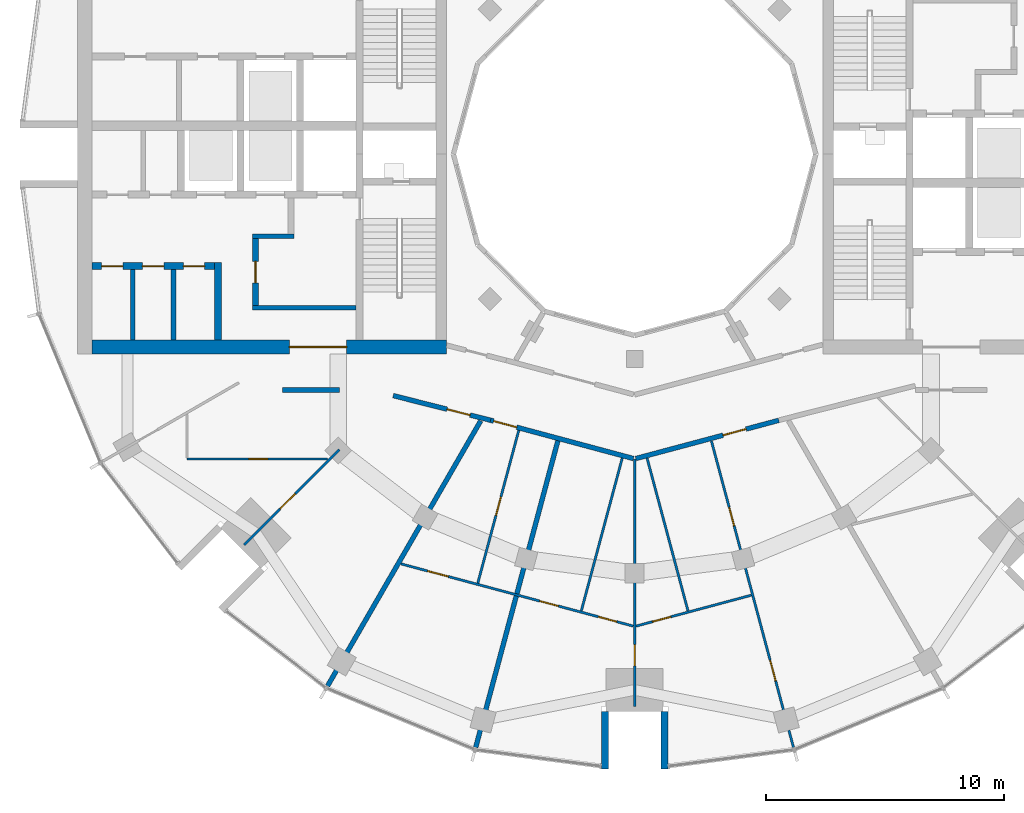
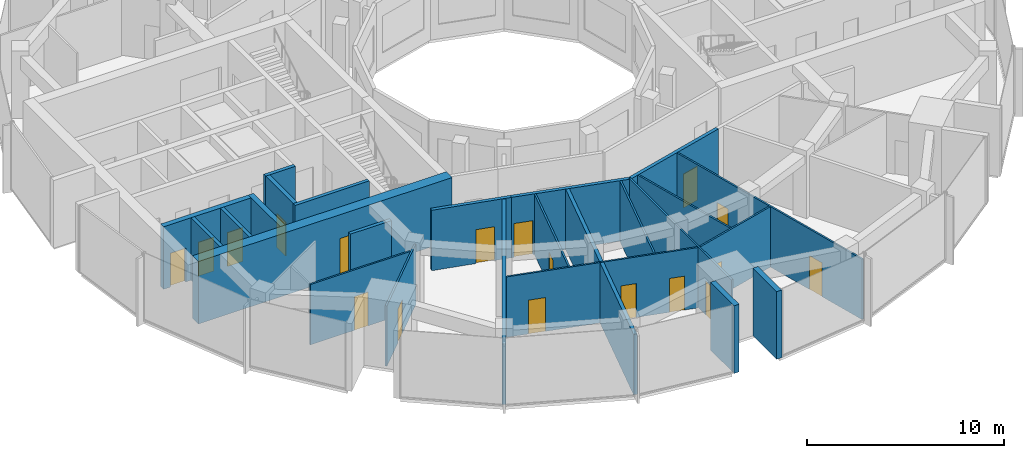
# One storey, part 8 of 15: 25 walls, 18 doors, 18 openings.
"""IFC4 building model written with IfcOpenShell, lengths in metres."""

from ifc_helpers import new_model, si_unit, direction, frame, frame_2d, origin, place, context, subcontext, project, spatial, rectangle, extrude, material, layer, layer_set, type_object, element, fill, save


model = new_model("IFC4")

# Units and contexts
model_context = context("Model", 3, precision=1e-05, world=origin(), true_north=direction((0.0, 1.0)))
body_context = subcontext(model_context, "Body", "Model", "MODEL_VIEW")
ifc_project = project(units=[si_unit("LENGTHUNIT", "METRE"), si_unit("AREAUNIT", "SQUARE_METRE"), si_unit("VOLUMEUNIT", "CUBIC_METRE"), si_unit("PLANEANGLEUNIT", "RADIAN"), si_unit("MASSUNIT", "GRAM", prefix="KILO")], contexts=[model_context])

# Site, building, storey
site_placement = place(None, origin())
site = spatial("IfcSite", under=ifc_project, at=site_placement, CompositionType="ELEMENT")
building_placement = place(site_placement, origin())
building = spatial("IfcBuilding", under=site, at=building_placement, Name="Torre Brocal", CompositionType="ELEMENT")
storey_placement = place(building_placement, frame((0.0, 0.0, 216.699951171875)))
storey = spatial("IfcBuildingStorey", under=building, at=storey_placement, Name="L50", CompositionType="ELEMENT", Elevation=216.699951171875)

# Walls
ifc_material_1 = material(Name="Masonry block", Category="masonry")
ifc_layer_1 = layer(ifc_material_1, 0.199951171875)
ifc_layer_set_1 = layer_set([ifc_layer_1], Name="Masonry block")
wall_type_1 = type_object("IfcWallType", Name="CORE PARTITION 200", PredefinedType="PARTITIONING", material=ifc_layer_set_1)
for number, where, z_axis, x_axis, name in (
    (1, (60.63330078125, 70.14990234375, 0.0), (0.0, 0.0, 1.0), (0.0, -1.0, 0.0), "Wall CP200"),
    (2, (58.916748046875, 70.14990234375, 0.0), (0.0, 0.0, 1.0), (0.0, -1.0, 0.0), "Wall CP200"),
):
    element("IfcWall", number, at=place(storey_placement, frame(where, z_axis=z_axis, x_axis=x_axis)), inside=storey, type_object=wall_type_1, Name=name, PredefinedType="PARTITIONING", context=body_context, shape_type="SweptSolid", body=[
        extrude(rectangle(XDim=2.949951171875, YDim=0.199951171875, at=frame_2d((1.47509765625, 0.0))), origin(), (0.0, 0.0, 1.0), 3.880126953125),
    ])
ifc_material_2 = material(Name="Concrete C60", Category="concrete")
ifc_layer_2 = layer(ifc_material_2, 0.199951171875)
ifc_layer_set_2 = layer_set([ifc_layer_2], Name="Concrete C60")
wall_type_2 = type_object("IfcWallType", Name="CORE WALL 200 C60", PredefinedType="SHEAR", material=ifc_layer_set_2)
wall_1_placement = place(storey_placement, frame((68.300048828125, 68.550048828125, 0.0), z_axis=(0.0, 0.0, 1.0), x_axis=(-1.0, 0.0, 0.0)))
element("IfcWall", 3, at=wall_1_placement, inside=storey, type_object=wall_type_2, Name="Wall CW200-60", PredefinedType="SHEAR", context=body_context, shape_type="SweptSolid", body=[
    extrude(rectangle(XDim=4.35009765625, YDim=0.199951171875, at=frame_2d((2.175048828125, 0.0))), origin(), (0.0, 0.0, 1.0), 3.880126953125),
])
wall_2_placement = place(storey_placement, frame((65.699951171875, 71.550048828125, 0.0), z_axis=(0.0, 0.0, 1.0), x_axis=(-1.0, 0.0, 0.0)))
element("IfcWall", 4, at=wall_2_placement, inside=storey, type_object=wall_type_2, Name="Wall CW200-60", PredefinedType="SHEAR", context=body_context, shape_type="SweptSolid", body=[
    extrude(rectangle(XDim=1.75, YDim=0.199951171875, at=frame_2d((0.875, 0.0))), origin(), (0.0, 0.0, 1.0), 3.880126953125),
])

# Wall, opening, door
ifc_material_3 = material(Name="Concrete C60", Category="concrete")
ifc_layer_3 = layer(ifc_material_3, 0.25)
ifc_layer_set_3 = layer_set([ifc_layer_3], Name="Concrete C60")
wall_type_3 = type_object("IfcWallType", Name="CORE WALL 250 C60", PredefinedType="SHEAR", material=ifc_layer_set_3)
wall_3_placement = place(storey_placement, frame((64.074951171875, 71.449951171875, 0.0), z_axis=(0.0, 0.0, 1.0), x_axis=(0.0, -1.0, 0.0)))
wall_3 = element("IfcWall", 5, at=wall_3_placement, inside=storey, type_object=wall_type_3, Name="Wall CW250-60", PredefinedType="SHEAR", context=body_context, shape_type="SweptSolid", body=[
    extrude(rectangle(XDim=2.800048828125, YDim=0.25, at=frame_2d((1.39990234375, 0.0))), origin(), (0.0, 0.0, 1.0), 3.880126953125),
])
opening_1_placement = place(wall_3_placement, frame((0.949951171875, 0.0, 0.0)))
opening_1 = element("IfcOpeningElement", 6, at=opening_1_placement, cuts=wall_3, Name="Opening W-D08", PredefinedType="OPENING", context=body_context, shape_type="SweptSolid", body=[
    extrude(rectangle(XDim=0.89990234375, YDim=2.10009765625, at=frame_2d((0.449951171875, 1.050048828125))), frame((0.0, 0.135009765625, 0.0), z_axis=(0.0, -1.0, 0.0), x_axis=(1.0, 0.0, 0.0)), (0.0, 0.0, 1.0), 0.27001953125),
])
ifc_material_4 = material(Name="Steel A653", Category="steel")
door_type_1 = type_object("IfcDoorType", Name="LOBBY DOOR FD120 900X2100", OperationType="SINGLE_SWING_RIGHT", PredefinedType="DOOR", material=ifc_material_4)
door_1_placement = place(opening_1_placement, origin())
door_1 = element("IfcDoor", 7, at=door_1_placement, inside=storey, type_object=door_type_1, Name="Door W-D08", OperationType="SINGLE_SWING_LEFT", OverallHeight=2.10009765625, OverallWidth=0.89990234375, PredefinedType="DOOR", context=body_context, shape_type="SweptSolid", body=[
    extrude(rectangle(XDim=0.89990234375, YDim=2.10009765625, at=frame_2d((0.449951171875, 1.050048828125))), frame((0.0, 0.02490234375, 0.0), z_axis=(0.0, -1.0, 0.0), x_axis=(1.0, 0.0, 0.0)), (0.0, 0.0, 1.0), 0.050048828125),
])
fill(opening_1, door_1)

# Wall
ifc_material_5 = material(Name="Concrete C60", Category="concrete")
ifc_layer_4 = layer(ifc_material_5, 0.300048828125)
ifc_layer_set_4 = layer_set([ifc_layer_4], Name="Concrete C60")
wall_type_4 = type_object("IfcWallType", Name="CORE WALL 300 C60", PredefinedType="SHEAR", material=ifc_layer_set_4)
wall_4_placement = place(storey_placement, frame((62.5, 70.449951171875, 0.0), z_axis=(0.0, 0.0, 1.0), x_axis=(0.0, -1.0, 0.0)))
element("IfcWall", 8, at=wall_4_placement, inside=storey, type_object=wall_type_4, Name="Wall CW300-60", PredefinedType="SHEAR", context=body_context, shape_type="SweptSolid", body=[
    extrude(rectangle(XDim=3.25, YDim=0.300048828125, at=frame_2d((1.625, 0.0))), origin(), (0.0, 0.0, 1.0), 3.880126953125),
])

# Wall, openings, doors
wall_5_placement = place(storey_placement, frame((62.35009765625, 70.300048828125, 0.0), z_axis=(0.0, 0.0, 1.0), x_axis=(-1.0, 0.0, 0.0)))
wall_5 = element("IfcWall", 9, at=wall_5_placement, inside=storey, type_object=wall_type_4, Name="Wall CW300-60", PredefinedType="SHEAR", context=body_context, shape_type="SweptSolid", body=[
    extrude(rectangle(XDim=5.150146484375, YDim=0.300048828125, at=frame_2d((2.5751953125, 0.0))), origin(), (0.0, 0.0, 1.0), 3.880126953125),
])
opening_2_placement = place(wall_5_placement, frame((0.408203125, 0.0, 0.0)))
opening_2 = element("IfcOpeningElement", 10, at=opening_2_placement, cuts=wall_5, Name="Opening W-D09", PredefinedType="OPENING", context=body_context, shape_type="SweptSolid", body=[
    extrude(rectangle(XDim=0.89990234375, YDim=2.10009765625, at=frame_2d((0.449951171875, 1.050048828125))), frame((0.0, 0.159912109375, 0.0), z_axis=(0.0, -1.0, 0.0), x_axis=(1.0, 0.0, 0.0)), (0.0, 0.0, 1.0), 0.320068359375),
])
opening_3_placement = place(wall_5_placement, frame((2.125, 0.0, 0.0)))
opening_3 = element("IfcOpeningElement", 11, at=opening_3_placement, cuts=wall_5, Name="Opening W-D10", PredefinedType="OPENING", context=body_context, shape_type="SweptSolid", body=[
    extrude(rectangle(XDim=0.89990234375, YDim=2.10009765625, at=frame_2d((0.449951171875, 1.050048828125))), frame((0.0, 0.159912109375, 0.0), z_axis=(0.0, -1.0, 0.0), x_axis=(1.0, 0.0, 0.0)), (0.0, 0.0, 1.0), 0.320068359375),
])
opening_4_placement = place(wall_5_placement, frame((3.841796875, 0.0, 0.0)))
opening_4 = element("IfcOpeningElement", 12, at=opening_4_placement, cuts=wall_5, Name="Opening W-D11", PredefinedType="OPENING", context=body_context, shape_type="SweptSolid", body=[
    extrude(rectangle(XDim=0.89990234375, YDim=2.10009765625, at=frame_2d((0.449951171875, 1.050048828125))), frame((0.0, 0.159912109375, 0.0), z_axis=(0.0, -1.0, 0.0), x_axis=(1.0, 0.0, 0.0)), (0.0, 0.0, 1.0), 0.320068359375),
])
ifc_material_6 = material(Name="Steel A653", Category="steel")
door_type_2 = type_object("IfcDoorType", Name="ROOM DOOR FD30S 900X2100", OperationType="SINGLE_SWING_LEFT", PredefinedType="DOOR", material=ifc_material_6)
door_2_placement = place(opening_2_placement, origin())
door_2 = element("IfcDoor", 13, at=door_2_placement, inside=storey, type_object=door_type_2, Name="Door W-D09", OperationType="SINGLE_SWING_RIGHT", OverallHeight=2.10009765625, OverallWidth=0.89990234375, PredefinedType="DOOR", context=body_context, shape_type="SweptSolid", body=[
    extrude(rectangle(XDim=0.89990234375, YDim=2.10009765625, at=frame_2d((0.449951171875, 1.050048828125))), frame((0.0, 0.02490234375, 0.0), z_axis=(0.0, -1.0, 0.0), x_axis=(1.0, 0.0, 0.0)), (0.0, 0.0, 1.0), 0.050048828125),
])
fill(opening_2, door_2)
door_3_placement = place(opening_3_placement, origin())
door_3 = element("IfcDoor", 14, at=door_3_placement, inside=storey, type_object=door_type_2, Name="Door W-D10", OperationType="SINGLE_SWING_LEFT", OverallHeight=2.10009765625, OverallWidth=0.89990234375, PredefinedType="DOOR", context=body_context, shape_type="SweptSolid", body=[
    extrude(rectangle(XDim=0.89990234375, YDim=2.10009765625, at=frame_2d((0.449951171875, 1.050048828125))), frame((0.0, 0.02490234375, 0.0), z_axis=(0.0, -1.0, 0.0), x_axis=(1.0, 0.0, 0.0)), (0.0, 0.0, 1.0), 0.050048828125),
])
fill(opening_3, door_3)
door_4_placement = place(opening_4_placement, origin())
door_4 = element("IfcDoor", 15, at=door_4_placement, inside=storey, type_object=door_type_2, Name="Door W-D11", OperationType="SINGLE_SWING_LEFT", OverallHeight=2.10009765625, OverallWidth=0.89990234375, PredefinedType="DOOR", context=body_context, shape_type="SweptSolid", body=[
    extrude(rectangle(XDim=0.89990234375, YDim=2.10009765625, at=frame_2d((0.449951171875, 1.050048828125))), frame((0.0, 0.02490234375, 0.0), z_axis=(0.0, -1.0, 0.0), x_axis=(1.0, 0.0, 0.0)), (0.0, 0.0, 1.0), 0.050048828125),
])
fill(opening_4, door_4)

# Wall, opening, door
ifc_material_7 = material(Name="Concrete C60", Category="concrete")
ifc_layer_5 = layer(ifc_material_7, 0.60009765625)
ifc_layer_set_5 = layer_set([ifc_layer_5], Name="Concrete C60")
wall_type_5 = type_object("IfcWallType", Name="CORE WALL 600 C60", PredefinedType="SHEAR", material=ifc_layer_set_5)
wall_6_placement = place(storey_placement, frame((72.10009765625, 66.89990234375, 0.0), z_axis=(0.0, 0.0, 1.0), x_axis=(-1.0, 0.0, 0.0)))
wall_6 = element("IfcWall", 16, at=wall_6_placement, inside=storey, type_object=wall_type_5, Name="Wall CW600-60", PredefinedType="SHEAR", context=body_context, shape_type="SweptSolid", body=[
    extrude(rectangle(XDim=14.900146484375, YDim=0.60009765625, at=frame_2d((7.4501953125, 0.0))), origin(), (0.0, 0.0, 1.0), 3.880126953125),
])
opening_5_placement = place(wall_6_placement, frame((4.199951171875, 0.0, 0.0)))
opening_5 = element("IfcOpeningElement", 17, at=opening_5_placement, cuts=wall_6, Name="Opening W-D12", PredefinedType="OPENING", context=body_context, shape_type="SweptSolid", body=[
    extrude(rectangle(XDim=2.39990234375, YDim=2.39990234375, at=frame_2d((1.199951171875, 1.199951171875))), frame((0.0, 0.31005859375, 0.0), z_axis=(0.0, -1.0, 0.0), x_axis=(1.0, 0.0, 0.0)), (0.0, 0.0, 1.0), 0.6201171875),
])
ifc_material_8 = material(Name="Steel A653", Category="steel")
door_type_3 = type_object("IfcDoorType", Name="DOUBLE FIRE DOOR FD90 2400X2400", OperationType="DOUBLE_DOOR_SINGLE_SWING", PredefinedType="DOOR", material=ifc_material_8)
door_5_placement = place(opening_5_placement, frame((2.39990234375, 0.0, 0.0), z_axis=(0.0, 0.0, 1.0), x_axis=(-1.0, 0.0, 0.0)))
door_5 = element("IfcDoor", 18, at=door_5_placement, inside=storey, type_object=door_type_3, Name="Door W-D12", OperationType="DOUBLE_DOOR_SINGLE_SWING", OverallHeight=2.39990234375, OverallWidth=2.39990234375, PredefinedType="DOOR", context=body_context, shape_type="SweptSolid", body=[
    extrude(rectangle(XDim=2.39990234375, YDim=2.39990234375, at=frame_2d((1.199951171875, 1.199951171875))), frame((0.0, 0.02490234375, 0.0), z_axis=(0.0, -1.0, 0.0), x_axis=(1.0, 0.0, 0.0)), (0.0, 0.0, 1.0), 0.050048828125),
])
fill(opening_5, door_5)

# Walls
ifc_material_9 = material(Name="Concrete C60", Category="concrete")
ifc_layer_6 = layer(ifc_material_9, 0.300048828125)
ifc_layer_set_6 = layer_set([ifc_layer_6], Name="Concrete C60")
wall_type_6 = type_object("IfcWallType", Name="NOTCH RETURN WALL 300 C60", PredefinedType="NOTDEFINED", material=ifc_layer_set_6)
for number, where, z_axis, x_axis, name in (
    (19, (78.75, 51.60009765625, 0.0), (0.0, 0.0, 1.0), (0.0, -1.0, 0.0), "NOTCH RETURN WALL"),
    (20, (81.25, 51.60009765625, 0.0), (0.0, 0.0, 1.0), (0.0, -1.0, 0.0), "NOTCH RETURN WALL"),
):
    element("IfcWall", number, at=place(storey_placement, frame(where, z_axis=z_axis, x_axis=x_axis)), inside=storey, type_object=wall_type_6, Name=name, PredefinedType="NOTDEFINED", context=body_context, shape_type="SweptSolid", body=[
        extrude(rectangle(XDim=2.415771484375, YDim=0.300048828125, at=frame_2d((1.2080078125, 0.0))), origin(), (0.0, 0.0, 1.0), 4.199951171875),
    ])

# Wall, opening, door
ifc_material_10 = material(Name="Gypsum board", Category="Gypsum")
ifc_layer_7 = layer(ifc_material_10, 0.10009765625)
ifc_layer_set_7 = layer_set([ifc_layer_7], Name="Gypsum board")
wall_type_7 = type_object("IfcWallType", Name="PARTITION 100", PredefinedType="PARTITIONING", material=ifc_layer_set_7)
wall_7_placement = place(storey_placement, frame((61.199951171875, 62.199951171875, 0.0), z_axis=(0.0, 0.0, 1.0), x_axis=(1.0, 0.0, 0.0)))
wall_7 = element("IfcWall", 21, at=wall_7_placement, inside=storey, type_object=wall_type_7, Name="BATHROOM WALL", PredefinedType="PARTITIONING", context=body_context, shape_type="SweptSolid", body=[
    extrude(rectangle(XDim=5.89013671875, YDim=0.10009765625, at=frame_2d((2.945068359375, 0.0))), origin(), (0.0, 0.0, 1.0), 3.75),
])
opening_6_placement = place(wall_7_placement, frame((2.60009765625, 0.0, 0.0)))
opening_6 = element("IfcOpeningElement", 22, at=opening_6_placement, cuts=wall_7, Name="Opening B01-D35", PredefinedType="OPENING", context=body_context, shape_type="SweptSolid", body=[
    extrude(rectangle(XDim=0.800048828125, YDim=2.10009765625, at=frame_2d((0.39990234375, 1.050048828125))), frame((0.0, 0.06005859375, 0.0), z_axis=(0.0, -1.0, 0.0), x_axis=(1.0, 0.0, 0.0)), (0.0, 0.0, 1.0), 0.1201171875),
])
ifc_material_11 = material(Name="Timber", Category="wood")
door_type_4 = type_object("IfcDoorType", Name="BATHROOM DOOR 800X2100", OperationType="SINGLE_SWING_LEFT", PredefinedType="DOOR", material=ifc_material_11)
door_6_placement = place(opening_6_placement, origin())
door_6 = element("IfcDoor", 23, at=door_6_placement, inside=storey, type_object=door_type_4, Name="B01-D35", OperationType="SINGLE_SWING_LEFT", OverallHeight=2.10009765625, OverallWidth=0.800048828125, PredefinedType="DOOR", context=body_context, shape_type="SweptSolid", body=[
    extrude(rectangle(XDim=0.800048828125, YDim=2.10009765625, at=frame_2d((0.39990234375, 1.050048828125))), frame((0.0, 0.02490234375, 0.0), z_axis=(0.0, -1.0, 0.0), x_axis=(1.0, 0.0, 0.0)), (0.0, 0.0, 1.0), 0.050048828125),
])
fill(opening_6, door_6)

wall_8_placement = place(storey_placement, frame((63.595703125, 58.595703125, 0.0), z_axis=(0.0, 0.0, 1.0), x_axis=(0.707106781187, 0.707106781187, 0.0)))
wall_8 = element("IfcWall", 24, at=wall_8_placement, inside=storey, type_object=wall_type_7, Name="BATHROOM WALL", PredefinedType="PARTITIONING", context=body_context, shape_type="SweptSolid", body=[
    extrude(rectangle(XDim=5.6630859375, YDim=0.10009765625, at=frame_2d((2.83154296875, 0.0))), origin(), (0.0, 0.0, 1.0), 3.75),
])
opening_7_placement = place(wall_8_placement, frame((2.133544921875, 0.0, 0.0)))
opening_7 = element("IfcOpeningElement", 25, at=opening_7_placement, cuts=wall_8, Name="Opening B01-D34", PredefinedType="OPENING", context=body_context, shape_type="SweptSolid", body=[
    extrude(rectangle(XDim=0.89990234375, YDim=2.10009765625, at=frame_2d((0.449951171875, 1.050048828125))), frame((0.0, 0.06005859375, 0.0), z_axis=(0.0, -1.0, 0.0), x_axis=(1.0, 0.0, 0.0)), (0.0, 0.0, 1.0), 0.1201171875),
])
ifc_material_12 = material(Name="Timber", Category="wood")
door_type_5 = type_object("IfcDoorType", Name="ROOM DOOR 900X2100", OperationType="SINGLE_SWING_LEFT", PredefinedType="DOOR", material=ifc_material_12)
door_7_placement = place(opening_7_placement, origin())
door_7 = element("IfcDoor", 26, at=door_7_placement, inside=storey, type_object=door_type_5, Name="B01-D34", OperationType="SINGLE_SWING_RIGHT", OverallHeight=2.10009765625, OverallWidth=0.89990234375, PredefinedType="DOOR", context=body_context, shape_type="SweptSolid", body=[
    extrude(rectangle(XDim=0.89990234375, YDim=2.10009765625, at=frame_2d((0.449951171875, 1.050048828125))), frame((0.0, 0.02490234375, 0.0), z_axis=(0.0, -1.0, 0.0), x_axis=(1.0, 0.0, 0.0)), (0.0, 0.0, 1.0), 0.050048828125),
])
fill(opening_7, door_7)

# Wall, openings, doors
wall_9_placement = place(storey_placement, frame((70.188232421875, 57.793701171875, 0.0), z_axis=(0.0, 0.0, 1.0), x_axis=(0.965894620005, -0.25893548047, 0.0)))
wall_9 = element("IfcWall", 27, at=wall_9_placement, inside=storey, type_object=wall_type_7, Name="BATHROOM WALL", PredefinedType="PARTITIONING", context=body_context, shape_type="SweptSolid", body=[
    extrude(rectangle(XDim=10.09814453125, YDim=0.10009765625, at=frame_2d((5.049072265625, 0.0))), origin(), (0.0, 0.0, 1.0), 3.75),
])
opening_8_placement = place(wall_9_placement, frame((6.0341796875, 0.0, 0.0)))
opening_8 = element("IfcOpeningElement", 28, at=opening_8_placement, cuts=wall_9, Name="Opening B01-D28", PredefinedType="OPENING", context=body_context, shape_type="SweptSolid", body=[
    extrude(rectangle(XDim=0.800048828125, YDim=2.10009765625, at=frame_2d((0.39990234375, 1.050048828125))), frame((0.0, 0.06005859375, 0.0), z_axis=(0.0, -1.0, 0.0), x_axis=(1.0, 0.0, 0.0)), (0.0, 0.0, 1.0), 0.1201171875),
])
opening_9_placement = place(wall_9_placement, frame((8.581298828125, 0.0, 0.0)))
opening_9 = element("IfcOpeningElement", 29, at=opening_9_placement, cuts=wall_9, Name="Opening B01-D29", PredefinedType="OPENING", context=body_context, shape_type="SweptSolid", body=[
    extrude(rectangle(XDim=0.800048828125, YDim=2.10009765625, at=frame_2d((0.39990234375, 1.050048828125))), frame((0.0, 0.06005859375, 0.0), z_axis=(0.0, -1.0, 0.0), x_axis=(1.0, 0.0, 0.0)), (0.0, 0.0, 1.0), 0.1201171875),
])
opening_10_placement = place(wall_9_placement, frame((1.156494140625, 0.0, 0.0)))
opening_10 = element("IfcOpeningElement", 30, at=opening_10_placement, cuts=wall_9, Name="Opening B01-D30", PredefinedType="OPENING", context=body_context, shape_type="SweptSolid", body=[
    extrude(rectangle(XDim=0.89990234375, YDim=2.10009765625, at=frame_2d((0.449951171875, 1.050048828125))), frame((0.0, 0.06005859375, 0.0), z_axis=(0.0, -1.0, 0.0), x_axis=(1.0, 0.0, 0.0)), (0.0, 0.0, 1.0), 0.1201171875),
])
door_8_placement = place(opening_8_placement, origin())
door_8 = element("IfcDoor", 31, at=door_8_placement, inside=storey, type_object=door_type_4, Name="B01-D28", OperationType="SINGLE_SWING_LEFT", OverallHeight=2.10009765625, OverallWidth=0.800048828125, PredefinedType="DOOR", context=body_context, shape_type="SweptSolid", body=[
    extrude(rectangle(XDim=0.800048828125, YDim=2.10009765625, at=frame_2d((0.39990234375, 1.050048828125))), frame((0.0, 0.02490234375, 0.0), z_axis=(0.0, -1.0, 0.0), x_axis=(1.0, 0.0, 0.0)), (0.0, 0.0, 1.0), 0.050048828125),
])
fill(opening_8, door_8)
door_9_placement = place(opening_9_placement, frame((0.800048828125, 0.0, 0.0), z_axis=(0.0, 0.0, 1.0), x_axis=(-1.0, 0.0, 0.0)))
door_9 = element("IfcDoor", 32, at=door_9_placement, inside=storey, type_object=door_type_4, Name="B01-D29", OperationType="SINGLE_SWING_LEFT", OverallHeight=2.10009765625, OverallWidth=0.800048828125, PredefinedType="DOOR", context=body_context, shape_type="SweptSolid", body=[
    extrude(rectangle(XDim=0.800048828125, YDim=2.10009765625, at=frame_2d((0.39990234375, 1.050048828125))), frame((0.0, 0.02490234375, 0.0), z_axis=(0.0, -1.0, 0.0), x_axis=(1.0, 0.0, 0.0)), (0.0, 0.0, 1.0), 0.050048828125),
])
fill(opening_9, door_9)
door_10_placement = place(opening_10_placement, origin())
door_10 = element("IfcDoor", 33, at=door_10_placement, inside=storey, type_object=door_type_5, Name="B01-D30", OperationType="SINGLE_SWING_LEFT", OverallHeight=2.10009765625, OverallWidth=0.89990234375, PredefinedType="DOOR", context=body_context, shape_type="SweptSolid", body=[
    extrude(rectangle(XDim=0.89990234375, YDim=2.10009765625, at=frame_2d((0.449951171875, 1.050048828125))), frame((0.0, 0.02490234375, 0.0), z_axis=(0.0, -1.0, 0.0), x_axis=(1.0, 0.0, 0.0)), (0.0, 0.0, 1.0), 0.050048828125),
])
fill(opening_10, door_10)

# Wall, opening, door
wall_10_placement = place(storey_placement, frame((73.410888671875, 56.981689453125, 0.0), z_axis=(0.0, 0.0, 1.0), x_axis=(0.258992397652, 0.96587935994, 0.0)))
wall_10 = element("IfcWall", 34, at=wall_10_placement, inside=storey, type_object=wall_type_7, Name="BATHROOM WALL", PredefinedType="PARTITIONING", context=body_context, shape_type="SweptSolid", body=[
    extrude(rectangle(XDim=6.6494140625, YDim=0.10009765625, at=frame_2d((3.32470703125, 0.0))), origin(), (0.0, 0.0, 1.0), 3.75),
])
opening_11_placement = place(wall_10_placement, frame((2.94970703125, 0.0, 0.0)))
opening_11 = element("IfcOpeningElement", 35, at=opening_11_placement, cuts=wall_10, Name="Opening B01-D32", PredefinedType="OPENING", context=body_context, shape_type="SweptSolid", body=[
    extrude(rectangle(XDim=0.800048828125, YDim=2.10009765625, at=frame_2d((0.39990234375, 1.050048828125))), frame((0.0, 0.06005859375, 0.0), z_axis=(0.0, -1.0, 0.0), x_axis=(1.0, 0.0, 0.0)), (0.0, 0.0, 1.0), 0.1201171875),
])
door_11_placement = place(opening_11_placement, frame((0.800048828125, 0.0, 0.0), z_axis=(0.0, 0.0, 1.0), x_axis=(-1.0, 0.0, 0.0)))
door_11 = element("IfcDoor", 36, at=door_11_placement, inside=storey, type_object=door_type_4, Name="B01-D32", OperationType="SINGLE_SWING_RIGHT", OverallHeight=2.10009765625, OverallWidth=0.800048828125, PredefinedType="DOOR", context=body_context, shape_type="SweptSolid", body=[
    extrude(rectangle(XDim=0.800048828125, YDim=2.10009765625, at=frame_2d((0.39990234375, 1.050048828125))), frame((0.0, 0.02490234375, 0.0), z_axis=(0.0, -1.0, 0.0), x_axis=(1.0, 0.0, 0.0)), (0.0, 0.0, 1.0), 0.050048828125),
])
fill(opening_11, door_11)

# Wall
wall_11_placement = place(storey_placement, frame((77.759033203125, 55.81640625, 0.0), z_axis=(0.0, 0.0, 1.0), x_axis=(0.258802763352, 0.965930188824, 0.0)))
element("IfcWall", 37, at=wall_11_placement, inside=storey, type_object=wall_type_7, Name="BATHROOM WALL", PredefinedType="PARTITIONING", context=body_context, shape_type="SweptSolid", body=[
    extrude(rectangle(XDim=6.649658203125, YDim=0.10009765625, at=frame_2d((3.32470703125, 0.0))), origin(), (0.0, 0.0, 1.0), 3.75),
])

# Wall, opening, door
wall_12_placement = place(storey_placement, frame((80.0, 51.800048828125, 0.0), z_axis=(0.0, 0.0, 1.0), x_axis=(0.0, 1.0, 0.0)))
wall_12 = element("IfcWall", 38, at=wall_12_placement, inside=storey, type_object=wall_type_7, Name="BATHROOM WALL", PredefinedType="PARTITIONING", context=body_context, shape_type="SweptSolid", body=[
    extrude(rectangle(XDim=10.404052734375, YDim=0.10009765625, at=frame_2d((5.2021484375, 0.0))), origin(), (0.0, 0.0, 1.0), 3.75),
])
opening_12_placement = place(wall_12_placement, frame((1.70703125, 0.0, 0.0)))
opening_12 = element("IfcOpeningElement", 39, at=opening_12_placement, cuts=wall_12, Name="Opening B01-D27", PredefinedType="OPENING", context=body_context, shape_type="SweptSolid", body=[
    extrude(rectangle(XDim=0.89990234375, YDim=2.10009765625, at=frame_2d((0.449951171875, 1.050048828125))), frame((0.0, 0.06005859375, 0.0), z_axis=(0.0, -1.0, 0.0), x_axis=(1.0, 0.0, 0.0)), (0.0, 0.0, 1.0), 0.1201171875),
])
door_12_placement = place(opening_12_placement, origin())
door_12 = element("IfcDoor", 40, at=door_12_placement, inside=storey, type_object=door_type_5, Name="B01-D27", OperationType="SINGLE_SWING_RIGHT", OverallHeight=2.10009765625, OverallWidth=0.89990234375, PredefinedType="DOOR", context=body_context, shape_type="SweptSolid", body=[
    extrude(rectangle(XDim=0.89990234375, YDim=2.10009765625, at=frame_2d((0.449951171875, 1.050048828125))), frame((0.0, 0.02490234375, 0.0), z_axis=(0.0, -1.0, 0.0), x_axis=(1.0, 0.0, 0.0)), (0.0, 0.0, 1.0), 0.050048828125),
])
fill(opening_12, door_12)

wall_13_placement = place(storey_placement, frame((80.05810546875, 55.179443359375, 0.0), z_axis=(0.0, 0.0, 1.0), x_axis=(0.965917403523, 0.258850477246, 0.0)))
wall_13 = element("IfcWall", 41, at=wall_13_placement, inside=storey, type_object=wall_type_7, Name="BATHROOM WALL", PredefinedType="PARTITIONING", context=body_context, shape_type="SweptSolid", body=[
    extrude(rectangle(XDim=5.013916015625, YDim=0.10009765625, at=frame_2d((2.5068359375, 0.0))), origin(), (0.0, 0.0, 1.0), 3.75),
])
opening_13_placement = place(wall_13_placement, frame((0.716552734375, 0.0, 0.0)))
opening_13 = element("IfcOpeningElement", 42, at=opening_13_placement, cuts=wall_13, Name="Opening B01-D25", PredefinedType="OPENING", context=body_context, shape_type="SweptSolid", body=[
    extrude(rectangle(XDim=0.800048828125, YDim=2.10009765625, at=frame_2d((0.39990234375, 1.050048828125))), frame((0.0, 0.06005859375, 0.0), z_axis=(0.0, -1.0, 0.0), x_axis=(1.0, 0.0, 0.0)), (0.0, 0.0, 1.0), 0.1201171875),
])
door_13_placement = place(opening_13_placement, origin())
door_13 = element("IfcDoor", 43, at=door_13_placement, inside=storey, type_object=door_type_4, Name="B01-D25", OperationType="SINGLE_SWING_LEFT", OverallHeight=2.10009765625, OverallWidth=0.800048828125, PredefinedType="DOOR", context=body_context, shape_type="SweptSolid", body=[
    extrude(rectangle(XDim=0.800048828125, YDim=2.10009765625, at=frame_2d((0.39990234375, 1.050048828125))), frame((0.0, 0.02490234375, 0.0), z_axis=(0.0, -1.0, 0.0), x_axis=(1.0, 0.0, 0.0)), (0.0, 0.0, 1.0), 0.050048828125),
])
fill(opening_13, door_13)

# Wall
wall_14_placement = place(storey_placement, frame((80.52001953125, 62.239501953125, 0.0), z_axis=(0.0, 0.0, 1.0), x_axis=(0.258802763352, -0.965930188824, 0.0)))
element("IfcWall", 44, at=wall_14_placement, inside=storey, type_object=wall_type_7, Name="BATHROOM WALL", PredefinedType="PARTITIONING", context=body_context, shape_type="SweptSolid", body=[
    extrude(rectangle(XDim=6.649658203125, YDim=0.10009765625, at=frame_2d((3.32470703125, 0.0))), origin(), (0.0, 0.0, 1.0), 3.75),
])

# Wall, openings, doors
wall_15_placement = place(storey_placement, frame((83.224365234375, 62.953857421875, 0.0), z_axis=(0.0, 0.0, 1.0), x_axis=(0.258647574365, -0.965971755423, 0.0)))
wall_15 = element("IfcWall", 45, at=wall_15_placement, inside=storey, type_object=wall_type_7, Name="BATHROOM WALL", PredefinedType="PARTITIONING", context=body_context, shape_type="SweptSolid", body=[
    extrude(rectangle(XDim=13.328125, YDim=0.10009765625, at=frame_2d((6.6640625, 0.0))), origin(), (0.0, 0.0, 1.0), 3.75),
])
opening_14_placement = place(wall_15_placement, frame((9.533935546875, 0.0, 0.0)))
opening_14 = element("IfcOpeningElement", 46, at=opening_14_placement, cuts=wall_15, Name="Opening B01-D24", PredefinedType="OPENING", context=body_context, shape_type="SweptSolid", body=[
    extrude(rectangle(XDim=0.89990234375, YDim=2.10009765625, at=frame_2d((0.449951171875, 1.050048828125))), frame((0.0, 0.06005859375, 0.0), z_axis=(0.0, -1.0, 0.0), x_axis=(1.0, 0.0, 0.0)), (0.0, 0.0, 1.0), 0.1201171875),
])
opening_15_placement = place(wall_15_placement, frame((2.889892578125, 0.0, 0.0)))
opening_15 = element("IfcOpeningElement", 47, at=opening_15_placement, cuts=wall_15, Name="Opening B01-D26", PredefinedType="OPENING", context=body_context, shape_type="SweptSolid", body=[
    extrude(rectangle(XDim=0.800048828125, YDim=2.10009765625, at=frame_2d((0.39990234375, 1.050048828125))), frame((0.0, 0.06005859375, 0.0), z_axis=(0.0, -1.0, 0.0), x_axis=(1.0, 0.0, 0.0)), (0.0, 0.0, 1.0), 0.1201171875),
])
door_14_placement = place(opening_15_placement, frame((0.800048828125, 0.0, 0.0), z_axis=(0.0, 0.0, 1.0), x_axis=(-1.0, 0.0, 0.0)))
door_14 = element("IfcDoor", 48, at=door_14_placement, inside=storey, type_object=door_type_4, Name="B01-D26", OperationType="SINGLE_SWING_RIGHT", OverallHeight=2.10009765625, OverallWidth=0.800048828125, PredefinedType="DOOR", context=body_context, shape_type="SweptSolid", body=[
    extrude(rectangle(XDim=0.800048828125, YDim=2.10009765625, at=frame_2d((0.39990234375, 1.050048828125))), frame((0.0, 0.02490234375, 0.0), z_axis=(0.0, -1.0, 0.0), x_axis=(1.0, 0.0, 0.0)), (0.0, 0.0, 1.0), 0.050048828125),
])
fill(opening_15, door_14)
door_15_placement = place(opening_14_placement, frame((0.89990234375, 0.0, 0.0), z_axis=(0.0, 0.0, 1.0), x_axis=(-1.0, 0.0, 0.0)))
door_15 = element("IfcDoor", 49, at=door_15_placement, inside=storey, type_object=door_type_5, Name="B01-D24", OperationType="SINGLE_SWING_LEFT", OverallHeight=2.10009765625, OverallWidth=0.89990234375, PredefinedType="DOOR", context=body_context, shape_type="SweptSolid", body=[
    extrude(rectangle(XDim=0.89990234375, YDim=2.10009765625, at=frame_2d((0.449951171875, 1.050048828125))), frame((0.0, 0.02490234375, 0.0), z_axis=(0.0, -1.0, 0.0), x_axis=(1.0, 0.0, 0.0)), (0.0, 0.0, 1.0), 0.050048828125),
])
fill(opening_14, door_15)

# Walls
ifc_material_13 = material(Name="Gypsum board", Category="Gypsum")
ifc_layer_8 = layer(ifc_material_13, 0.199951171875)
ifc_layer_set_8 = layer_set([ifc_layer_8], Name="Gypsum board")
wall_type_8 = type_object("IfcWallType", Name="PARTITION 200 EI60", PredefinedType="PARTITIONING", material=ifc_layer_set_8)
wall_16_placement = place(storey_placement, frame((65.199951171875, 65.10009765625, 0.0), z_axis=(0.0, 0.0, 1.0), x_axis=(1.0, 0.0, 0.0)))
element("IfcWall", 50, at=wall_16_placement, inside=storey, type_object=wall_type_8, Name="GUESTROOM CORRIDOR WALL", PredefinedType="PARTITIONING", context=body_context, shape_type="SweptSolid", body=[
    extrude(rectangle(XDim=2.400146484375, YDim=0.199951171875, at=frame_2d((1.2001953125, 0.0))), origin(), (0.0, 0.0, 1.0), 3.75),
])
wall_17_placement = place(storey_placement, frame((67.0986328125, 52.659912109375, 0.0), z_axis=(0.0, 0.0, 1.0), x_axis=(0.500120472712, 0.865955837658, 0.0)))
element("IfcWall", 51, at=wall_17_placement, inside=storey, type_object=wall_type_8, Name="PARTY PARTITION", PredefinedType="PARTITIONING", context=body_context, shape_type="SweptSolid", body=[
    extrude(rectangle(XDim=12.866455078125, YDim=0.199951171875, at=frame_2d((6.43310546875, 0.0))), origin(), (0.0, 0.0, 1.0), 3.75),
])

# Wall, opening, door
wall_18_placement = place(storey_placement, frame((69.860107421875, 64.860107421875, 0.0), z_axis=(0.0, 0.0, 1.0), x_axis=(0.96942980222, -0.245368821506, 0.0)))
wall_18 = element("IfcWall", 52, at=wall_18_placement, inside=storey, type_object=wall_type_8, Name="FLAT ENTRANCE WALL", PredefinedType="PARTITIONING", context=body_context, shape_type="SweptSolid", body=[
    extrude(rectangle(XDim=4.2158203125, YDim=0.199951171875, at=frame_2d((2.10791015625, 0.0))), origin(), (0.0, 0.0, 1.0), 3.75),
])
opening_16_placement = place(wall_18_placement, frame((2.33056640625, 0.0, 0.0)))
opening_16 = element("IfcOpeningElement", 53, at=opening_16_placement, cuts=wall_18, Name="Opening B01-D33", PredefinedType="OPENING", context=body_context, shape_type="SweptSolid", body=[
    extrude(rectangle(XDim=1.0, YDim=2.10009765625, at=frame_2d((0.5, 1.050048828125))), frame((0.0, 0.10986328125, 0.0), z_axis=(0.0, -1.0, 0.0), x_axis=(1.0, 0.0, 0.0)), (0.0, 0.0, 1.0), 0.219970703125),
])
ifc_material_14 = material(Name="Timber", Category="wood")
door_type_6 = type_object("IfcDoorType", Name="FLAT ENTRY DOOR FD30S 1000X2100", OperationType="SINGLE_SWING_RIGHT", PredefinedType="DOOR", material=ifc_material_14)
door_16_placement = place(opening_16_placement, frame((1.0, 0.0, 0.0), z_axis=(0.0, 0.0, 1.0), x_axis=(-1.0, 0.0, 0.0)))
door_16 = element("IfcDoor", 54, at=door_16_placement, inside=storey, type_object=door_type_6, Name="B01-D33", OperationType="SINGLE_SWING_LEFT", OverallHeight=2.10009765625, OverallWidth=1.0, PredefinedType="DOOR", context=body_context, shape_type="SweptSolid", body=[
    extrude(rectangle(XDim=1.0, YDim=2.10009765625, at=frame_2d((0.5, 1.050048828125))), frame((0.0, 0.02490234375, 0.0), z_axis=(0.0, -1.0, 0.0), x_axis=(1.0, 0.0, 0.0)), (0.0, 0.0, 1.0), 0.050048828125),
])
fill(opening_16, door_16)

# Wall
wall_19_placement = place(storey_placement, frame((73.322998046875, 50.080810546875, 0.0), z_axis=(0.0, 0.0, 1.0), x_axis=(0.258837030899, 0.96592100683, 0.0)))
element("IfcWall", 55, at=wall_19_placement, inside=storey, type_object=wall_type_8, Name="BATHROOM WALL", PredefinedType="PARTITIONING", context=body_context, shape_type="SweptSolid", body=[
    extrude(rectangle(XDim=13.338134765625, YDim=0.199951171875, at=frame_2d((6.6689453125, 0.0))), origin(), (0.0, 0.0, 1.0), 3.75),
])

# Wall, opening, door
wall_20_placement = place(storey_placement, frame((73.947021484375, 63.826171875, 0.0), z_axis=(0.0, 0.0, 1.0), x_axis=(0.965876152316, -0.259004359784, 0.0)))
wall_20 = element("IfcWall", 56, at=wall_20_placement, inside=storey, type_object=wall_type_8, Name="FLAT ENTRANCE WALL", PredefinedType="PARTITIONING", context=body_context, shape_type="SweptSolid", body=[
    extrude(rectangle(XDim=6.216552734375, YDim=0.199951171875, at=frame_2d((3.1083984375, 0.0))), origin(), (0.0, 0.0, 1.0), 3.75),
])
opening_17_placement = place(wall_20_placement, frame((0.13720703125, 0.0, 0.0)))
opening_17 = element("IfcOpeningElement", 57, at=opening_17_placement, cuts=wall_20, Name="Opening B01-D31", PredefinedType="OPENING", context=body_context, shape_type="SweptSolid", body=[
    extrude(rectangle(XDim=1.0, YDim=2.10009765625, at=frame_2d((0.5, 1.050048828125))), frame((0.0, 0.10986328125, 0.0), z_axis=(0.0, -1.0, 0.0), x_axis=(1.0, 0.0, 0.0)), (0.0, 0.0, 1.0), 0.219970703125),
])
door_17_placement = place(opening_17_placement, frame((1.0, 0.0, 0.0), z_axis=(0.0, 0.0, 1.0), x_axis=(-1.0, 0.0, 0.0)))
door_17 = element("IfcDoor", 58, at=door_17_placement, inside=storey, type_object=door_type_6, Name="B01-D31", OperationType="SINGLE_SWING_LEFT", OverallHeight=2.10009765625, OverallWidth=1.0, PredefinedType="DOOR", context=body_context, shape_type="SweptSolid", body=[
    extrude(rectangle(XDim=1.0, YDim=2.10009765625, at=frame_2d((0.5, 1.050048828125))), frame((0.0, 0.02490234375, 0.0), z_axis=(0.0, -1.0, 0.0), x_axis=(1.0, 0.0, 0.0)), (0.0, 0.0, 1.0), 0.050048828125),
])
fill(opening_17, door_17)

wall_21_placement = place(storey_placement, frame((80.048095703125, 62.21728515625, 0.0), z_axis=(0.0, 0.0, 1.0), x_axis=(0.966097920642, 0.258175923996, 0.0)))
wall_21 = element("IfcWall", 59, at=wall_21_placement, inside=storey, type_object=wall_type_8, Name="FLAT ENTRANCE WALL", PredefinedType="PARTITIONING", context=body_context, shape_type="SweptSolid", body=[
    extrude(rectangle(XDim=6.216552734375, YDim=0.199951171875, at=frame_2d((3.1083984375, 0.0))), origin(), (0.0, 0.0, 1.0), 3.75),
])
opening_18_placement = place(wall_21_placement, frame((3.792236328125, 0.0, 0.0)))
opening_18 = element("IfcOpeningElement", 60, at=opening_18_placement, cuts=wall_21, Name="Opening B01-D23", PredefinedType="OPENING", context=body_context, shape_type="SweptSolid", body=[
    extrude(rectangle(XDim=1.0, YDim=2.10009765625, at=frame_2d((0.5, 1.050048828125))), frame((0.0, 0.10986328125, 0.0), z_axis=(0.0, -1.0, 0.0), x_axis=(1.0, 0.0, 0.0)), (0.0, 0.0, 1.0), 0.219970703125),
])
door_18_placement = place(opening_18_placement, frame((1.0, 0.0, 0.0), z_axis=(0.0, 0.0, 1.0), x_axis=(-1.0, 0.0, 0.0)))
door_18 = element("IfcDoor", 61, at=door_18_placement, inside=storey, type_object=door_type_6, Name="B01-D23", OperationType="SINGLE_SWING_RIGHT", OverallHeight=2.10009765625, OverallWidth=1.0, PredefinedType="DOOR", context=body_context, shape_type="SweptSolid", body=[
    extrude(rectangle(XDim=1.0, YDim=2.10009765625, at=frame_2d((0.5, 1.050048828125))), frame((0.0, 0.02490234375, 0.0), z_axis=(0.0, -1.0, 0.0), x_axis=(1.0, 0.0, 0.0)), (0.0, 0.0, 1.0), 0.050048828125),
])
fill(opening_18, door_18)

save(model, "model.ifc")
